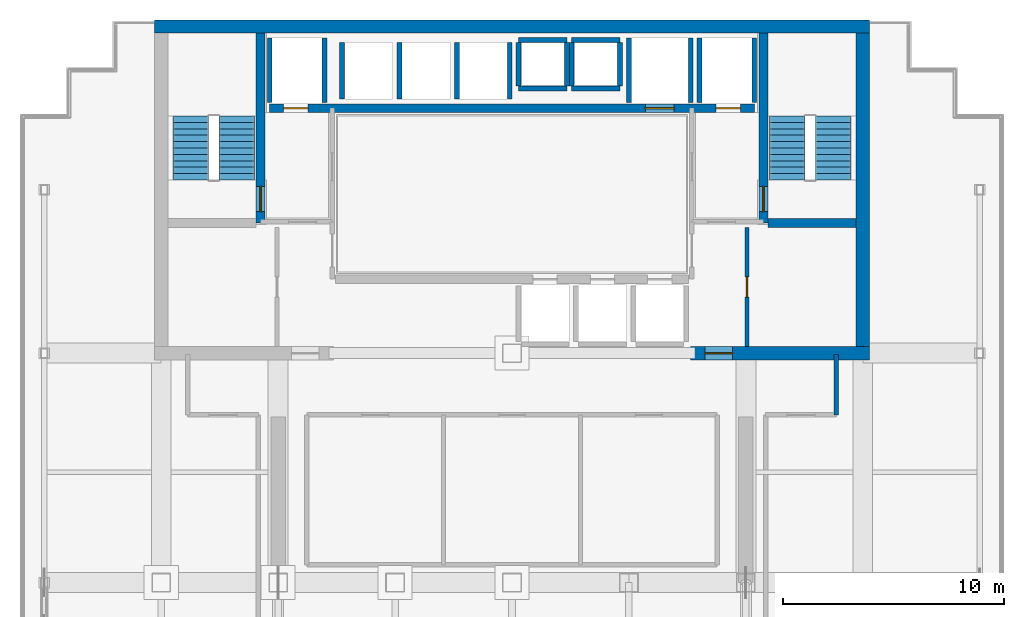
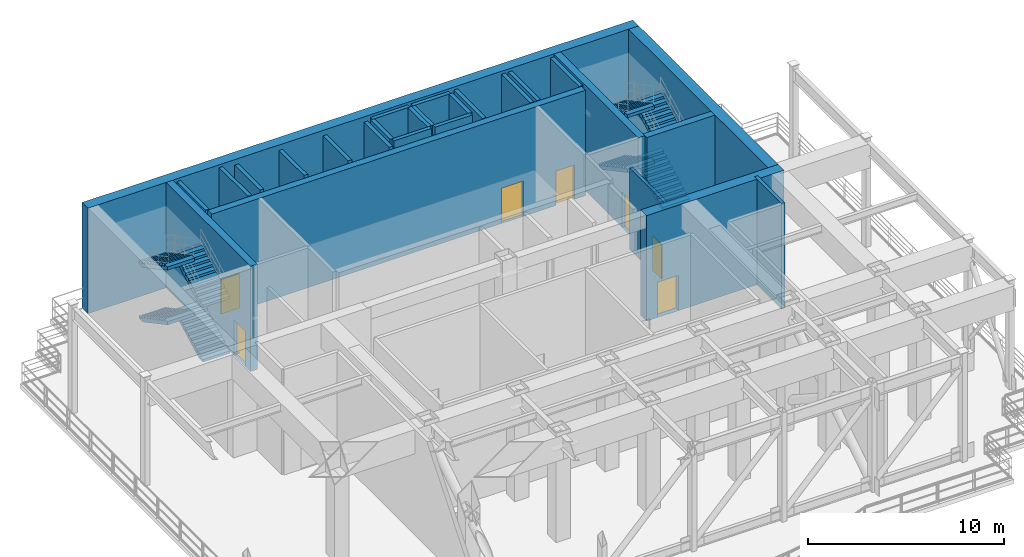
# One storey, part 4 of 7: 27 walls, 8 stair flights, 7 doors, 7 openings, 2 elements without a shape of their own.
"""IFC4 building model written with IfcOpenShell, lengths in metres."""

from ifc_helpers import new_model, si_unit, direction, frame, frame_2d, origin, place, context, subcontext, project, spatial, polyline, rectangle, outline, extrude, material, layer, layer_set, type_object, element, fill, aggregate, save


model = new_model("IFC4")

# Units and contexts
model_context = context("Model", 3, precision=1e-05, world=origin(), true_north=direction((0.0, 1.0)))
body_context = subcontext(model_context, "Body", "Model", "MODEL_VIEW")
ifc_project = project(units=[si_unit("LENGTHUNIT", "METRE"), si_unit("AREAUNIT", "SQUARE_METRE"), si_unit("VOLUMEUNIT", "CUBIC_METRE"), si_unit("PLANEANGLEUNIT", "RADIAN"), si_unit("MASSUNIT", "GRAM", prefix="KILO")], contexts=[model_context])

# Site, building, storey
site_placement = place(None, origin())
site = spatial("IfcSite", under=ifc_project, at=site_placement, CompositionType="ELEMENT")
building_placement = place(site_placement, origin())
building = spatial("IfcBuilding", under=site, at=building_placement, Name="Qianlan Lanfeng Residences", CompositionType="ELEMENT")
storey_placement = place(building_placement, frame((0.0, 0.0, 185.39990234375)))
storey = spatial("IfcBuildingStorey", under=building, at=storey_placement, Name="L51", CompositionType="ELEMENT", Elevation=185.39990234375)

# Wall, opening, door
ifc_material_1 = material(Name="Concrete C56", Category="concrete")
ifc_layer_1 = layer(ifc_material_1, 0.39990234375)
ifc_layer_set_1 = layer_set([ifc_layer_1], Name="Concrete C56")
wall_type_1 = type_object("IfcWallType", Name="CW-RC-400", PredefinedType="SHEAR", material=ifc_layer_set_1)
wall_1_placement = place(storey_placement, frame((15.10009765625, 31.10009765625, 0.0), z_axis=(0.0, 0.0, 1.0), x_axis=(0.0, 1.0, 0.0)))
wall_1 = element("IfcWall", 1, at=wall_1_placement, inside=storey, type_object=wall_type_1, Name="L51 Core Shear Wall ST1E", PredefinedType="SHEAR", context=body_context, shape_type="SweptSolid", body=[
    extrude(rectangle(XDim=8.599853515625, YDim=0.39990234375, at=frame_2d((4.2998046875, 0.0))), origin(), (0.0, 0.0, 1.0), 6.56005859375),
])
opening_1_placement = place(wall_1_placement, frame((0.510009765625, 0.0, 0.0)))
opening_1 = element("IfcOpeningElement", 2, at=opening_1_placement, cuts=wall_1, Name="Opening L51-D07", PredefinedType="OPENING", context=body_context, shape_type="SweptSolid", body=[
    extrude(rectangle(XDim=1.14990234375, YDim=2.199951171875, at=frame_2d((0.574951171875, 1.10009765625))), frame((0.0, 0.2099609375, 0.0), z_axis=(0.0, -1.0, 0.0), x_axis=(1.0, 0.0, 0.0)), (0.0, 0.0, 1.0), 0.419921875),
])
ifc_material_2 = material(Name="Painted Galvanised Steel Fire Door", Category="steel")
door_type_1 = type_object("IfcDoorType", Name="DT-ST1", OperationType="NOTDEFINED", PredefinedType="DOOR", material=ifc_material_2)
door_1_placement = place(opening_1_placement, frame((1.14990234375, 0.0, 0.0), z_axis=(0.0, 0.0, 1.0), x_axis=(-1.0, 0.0, 0.0)))
door_1 = element("IfcDoor", 3, at=door_1_placement, inside=storey, type_object=door_type_1, Name="L51 Exit Stair ST-1 Door L51-D07 (DT-ST1)", OperationType="SINGLE_SWING_RIGHT", OverallHeight=2.199951171875, OverallWidth=1.14990234375, PredefinedType="DOOR", context=body_context, shape_type="SweptSolid", body=[
    extrude(rectangle(XDim=1.14990234375, YDim=2.199951171875, at=frame_2d((0.574951171875, 1.10009765625))), frame((0.0, 0.02490234375, 0.0), z_axis=(0.0, -1.0, 0.0), x_axis=(1.0, 0.0, 0.0)), (0.0, 0.0, 1.0), 0.050048828125),
])
fill(opening_1, door_1)

wall_2_placement = place(storey_placement, frame((37.89990234375, 31.10009765625, 0.0), z_axis=(0.0, 0.0, 1.0), x_axis=(0.0, 1.0, 0.0)))
wall_2 = element("IfcWall", 4, at=wall_2_placement, inside=storey, type_object=wall_type_1, Name="L51 Core Shear Wall ST2W", PredefinedType="SHEAR", context=body_context, shape_type="SweptSolid", body=[
    extrude(rectangle(XDim=8.599853515625, YDim=0.39990234375, at=frame_2d((4.2998046875, 0.0))), origin(), (0.0, 0.0, 1.0), 6.56005859375),
])
opening_2_placement = place(wall_2_placement, frame((0.510009765625, 0.0, 0.0)))
opening_2 = element("IfcOpeningElement", 5, at=opening_2_placement, cuts=wall_2, Name="Opening L51-D08", PredefinedType="OPENING", context=body_context, shape_type="SweptSolid", body=[
    extrude(rectangle(XDim=1.14990234375, YDim=2.199951171875, at=frame_2d((0.574951171875, 1.10009765625))), frame((0.0, 0.2099609375, 0.0), z_axis=(0.0, -1.0, 0.0), x_axis=(1.0, 0.0, 0.0)), (0.0, 0.0, 1.0), 0.419921875),
])
door_2_placement = place(opening_2_placement, origin())
door_2 = element("IfcDoor", 6, at=door_2_placement, inside=storey, type_object=door_type_1, Name="L51 Exit Stair ST-2 Door L51-D08 (DT-ST1)", OperationType="SINGLE_SWING_RIGHT", OverallHeight=2.199951171875, OverallWidth=1.14990234375, PredefinedType="DOOR", context=body_context, shape_type="SweptSolid", body=[
    extrude(rectangle(XDim=1.14990234375, YDim=2.199951171875, at=frame_2d((0.574951171875, 1.10009765625))), frame((0.0, 0.02490234375, 0.0), z_axis=(0.0, -1.0, 0.0), x_axis=(1.0, 0.0, 0.0)), (0.0, 0.0, 1.0), 0.050048828125),
])
fill(opening_2, door_2)

# Wall
wall_3_placement = place(storey_placement, frame((38.10009765625, 31.10009765625, 0.0), z_axis=(0.0, 0.0, 1.0), x_axis=(1.0, 0.0, 0.0)))
element("IfcWall", 7, at=wall_3_placement, inside=storey, type_object=wall_type_1, Name="L51 Core Shear Wall ST2S", PredefinedType="SHEAR", context=body_context, shape_type="SweptSolid", body=[
    extrude(rectangle(XDim=4.0, YDim=0.39990234375, at=frame_2d((2.0, 0.0))), origin(), (0.0, 0.0, 1.0), 6.56005859375),
])

# Wall, openings, doors
wall_4_placement = place(storey_placement, frame((15.5, 36.300048828125, 0.0), z_axis=(0.0, 0.0, 1.0), x_axis=(1.0, 0.0, 0.0)))
wall_4 = element("IfcWall", 8, at=wall_4_placement, inside=storey, type_object=wall_type_1, Name="L51 Core Shear Wall LBN", PredefinedType="SHEAR", context=body_context, shape_type="SweptSolid", body=[
    extrude(rectangle(XDim=22.0, YDim=0.39990234375, at=frame_2d((11.0, 0.0))), origin(), (0.0, 0.0, 1.0), 6.56005859375),
])
opening_3_placement = place(wall_4_placement, frame((0.64990234375, 0.0, 0.0)))
opening_3 = element("IfcOpeningElement", 9, at=opening_3_placement, cuts=wall_4, Name="Opening L51-LD-FFL-1", PredefinedType="OPENING", context=body_context, shape_type="SweptSolid", body=[
    extrude(rectangle(XDim=1.10009765625, YDim=2.14990234375, at=frame_2d((0.550048828125, 1.074951171875))), frame((0.0, 0.2099609375, 0.0), z_axis=(0.0, -1.0, 0.0), x_axis=(1.0, 0.0, 0.0)), (0.0, 0.0, 1.0), 0.419921875),
])
opening_4_placement = place(wall_4_placement, frame((20.25, 0.0, 0.0)))
opening_4 = element("IfcOpeningElement", 10, at=opening_4_placement, cuts=wall_4, Name="Opening L51-LD-FFL-2", PredefinedType="OPENING", context=body_context, shape_type="SweptSolid", body=[
    extrude(rectangle(XDim=1.10009765625, YDim=2.14990234375, at=frame_2d((0.550048828125, 1.074951171875))), frame((0.0, 0.2099609375, 0.0), z_axis=(0.0, -1.0, 0.0), x_axis=(1.0, 0.0, 0.0)), (0.0, 0.0, 1.0), 0.419921875),
])
opening_5_placement = place(wall_4_placement, frame((17.050048828125, 0.0, 0.0)))
opening_5 = element("IfcOpeningElement", 11, at=opening_5_placement, cuts=wall_4, Name="Opening L51-LD-SVL-1", PredefinedType="OPENING", context=body_context, shape_type="SweptSolid", body=[
    extrude(rectangle(XDim=1.300048828125, YDim=2.199951171875, at=frame_2d((0.64990234375, 1.10009765625))), frame((0.0, 0.2099609375, 0.0), z_axis=(0.0, -1.0, 0.0), x_axis=(1.0, 0.0, 0.0)), (0.0, 0.0, 1.0), 0.419921875),
])
ifc_material_3 = material(Name="Brushed Stainless Steel Sliding Lift Door", Category="steel")
door_type_2 = type_object("IfcDoorType", Name="LD-01", OperationType="NOTDEFINED", PredefinedType="DOOR", material=ifc_material_3)
door_3_placement = place(opening_3_placement, frame((1.10009765625, 0.0, 0.0), z_axis=(0.0, 0.0, 1.0), x_axis=(-1.0, 0.0, 0.0)))
door_3 = element("IfcDoor", 12, at=door_3_placement, inside=storey, type_object=door_type_2, Name="L51 Elevator FFL-1 Sliding Landing Door", OperationType="DOUBLE_DOOR_SLIDING", OverallHeight=2.14990234375, OverallWidth=1.10009765625, PredefinedType="DOOR", context=body_context, shape_type="SweptSolid", body=[
    extrude(rectangle(XDim=1.10009765625, YDim=2.14990234375, at=frame_2d((0.550048828125, 1.074951171875))), frame((0.0, 0.02490234375, 0.0), z_axis=(0.0, -1.0, 0.0), x_axis=(1.0, 0.0, 0.0)), (0.0, 0.0, 1.0), 0.050048828125),
])
fill(opening_3, door_3)
door_4_placement = place(opening_4_placement, frame((1.10009765625, 0.0, 0.0), z_axis=(0.0, 0.0, 1.0), x_axis=(-1.0, 0.0, 0.0)))
door_4 = element("IfcDoor", 13, at=door_4_placement, inside=storey, type_object=door_type_2, Name="L51 Elevator FFL-2 Sliding Landing Door", OperationType="DOUBLE_DOOR_SLIDING", OverallHeight=2.14990234375, OverallWidth=1.10009765625, PredefinedType="DOOR", context=body_context, shape_type="SweptSolid", body=[
    extrude(rectangle(XDim=1.10009765625, YDim=2.14990234375, at=frame_2d((0.550048828125, 1.074951171875))), frame((0.0, 0.02490234375, 0.0), z_axis=(0.0, -1.0, 0.0), x_axis=(1.0, 0.0, 0.0)), (0.0, 0.0, 1.0), 0.050048828125),
])
fill(opening_4, door_4)
door_type_3 = type_object("IfcDoorType", Name="LD-02", OperationType="NOTDEFINED", PredefinedType="DOOR", material=ifc_material_3)
door_5_placement = place(opening_5_placement, frame((1.300048828125, 0.0, 0.0), z_axis=(0.0, 0.0, 1.0), x_axis=(-1.0, 0.0, 0.0)))
door_5 = element("IfcDoor", 14, at=door_5_placement, inside=storey, type_object=door_type_3, Name="L51 Elevator SVL-1 Sliding Landing Door", OperationType="DOUBLE_DOOR_SLIDING", OverallHeight=2.199951171875, OverallWidth=1.300048828125, PredefinedType="DOOR", context=body_context, shape_type="SweptSolid", body=[
    extrude(rectangle(XDim=1.300048828125, YDim=2.199951171875, at=frame_2d((0.64990234375, 1.10009765625))), frame((0.0, 0.02490234375, 0.0), z_axis=(0.0, -1.0, 0.0), x_axis=(1.0, 0.0, 0.0)), (0.0, 0.0, 1.0), 0.050048828125),
])
fill(opening_5, door_5)

# Walls
ifc_layer_2 = layer(ifc_material_1, 0.60009765625)
ifc_layer_set_2 = layer_set([ifc_layer_2], Name="Concrete C56")
wall_type_2 = type_object("IfcWallType", Name="CW-RC-600", PredefinedType="SHEAR", material=ifc_layer_set_2)
wall_5_placement = place(storey_placement, frame((10.300048828125, 40.0, 0.0), z_axis=(0.0, 0.0, 1.0), x_axis=(1.0, 0.0, 0.0)))
element("IfcWall", 15, at=wall_5_placement, inside=storey, type_object=wall_type_2, Name="L51 Core Shear Wall N", PredefinedType="SHEAR", context=body_context, shape_type="SweptSolid", body=[
    extrude(rectangle(XDim=32.39990234375, YDim=0.60009765625, at=frame_2d((16.199951171875, 0.0))), origin(), (0.0, 0.0, 1.0), 6.56005859375),
])
wall_6_placement = place(storey_placement, frame((42.39990234375, 25.5, 0.0), z_axis=(0.0, 0.0, 1.0), x_axis=(0.0, 1.0, 0.0)))
element("IfcWall", 16, at=wall_6_placement, inside=storey, type_object=wall_type_2, Name="L51 Core Shear Wall E", PredefinedType="SHEAR", context=body_context, shape_type="SweptSolid", body=[
    extrude(rectangle(XDim=14.199951171875, YDim=0.60009765625, at=frame_2d((7.10009765625, 0.0))), origin(), (0.0, 0.0, 1.0), 6.56005859375),
])

# Wall, opening, door
wall_7_placement = place(storey_placement, frame((34.60009765625, 25.199951171875, 0.0), z_axis=(0.0, 0.0, 1.0), x_axis=(1.0, 0.0, 0.0)))
wall_7 = element("IfcWall", 17, at=wall_7_placement, inside=storey, type_object=wall_type_2, Name="L51 Core Shear Wall SE", PredefinedType="SHEAR", context=body_context, shape_type="SweptSolid", body=[
    extrude(rectangle(XDim=8.099853515625, YDim=0.60009765625, at=frame_2d((4.0498046875, 0.0))), origin(), (0.0, 0.0, 1.0), 6.56005859375),
])
opening_6_placement = place(wall_7_placement, frame((0.64990234375, 0.0, 0.0)))
opening_6 = element("IfcOpeningElement", 18, at=opening_6_placement, cuts=wall_7, Name="Opening L51-D02", PredefinedType="OPENING", context=body_context, shape_type="SweptSolid", body=[
    extrude(rectangle(XDim=1.25, YDim=2.199951171875, at=frame_2d((0.625, 1.10009765625))), frame((0.0, 0.31005859375, 0.0), z_axis=(0.0, -1.0, 0.0), x_axis=(1.0, 0.0, 0.0)), (0.0, 0.0, 1.0), 0.6201171875),
])
door_type_4 = type_object("IfcDoorType", Name="DT-FFL", OperationType="NOTDEFINED", PredefinedType="DOOR", material=ifc_material_2)
door_6_placement = place(opening_6_placement, frame((1.25, 0.0, 0.0), z_axis=(0.0, 0.0, 1.0), x_axis=(-1.0, 0.0, 0.0)))
door_6 = element("IfcDoor", 19, at=door_6_placement, inside=storey, type_object=door_type_4, Name="L51 East Core Lobby Smoke Door L51-D02 (DT-FFL)", OperationType="SINGLE_SWING_LEFT", OverallHeight=2.199951171875, OverallWidth=1.25, PredefinedType="DOOR", context=body_context, shape_type="SweptSolid", body=[
    extrude(rectangle(XDim=1.25, YDim=2.199951171875, at=frame_2d((0.625, 1.10009765625))), frame((0.0, 0.02490234375, 0.0), z_axis=(0.0, -1.0, 0.0), x_axis=(1.0, 0.0, 0.0)), (0.0, 0.0, 1.0), 0.050048828125),
])
fill(opening_6, door_6)

ifc_material_4 = material(Name="Double-Layer Acoustic Gypsum Stud Wall 180 mm")
ifc_layer_3 = layer(ifc_material_4, 0.179931640625)
ifc_layer_set_3 = layer_set([ifc_layer_3], Name="Double-Layer Acoustic Gypsum Stud Wall 180 mm")
wall_type_3 = type_object("IfcWallType", Name="PW-180", PredefinedType="PARTITIONING", material=ifc_layer_set_3)
wall_8_placement = place(storey_placement, frame((37.14990234375, 25.5, 0.0), z_axis=(0.0, 0.0, 1.0), x_axis=(0.0, 1.0, 0.0)))
wall_8 = element("IfcWall", 20, at=wall_8_placement, inside=storey, type_object=wall_type_3, Name="L51 Core East Service Room Wall", PredefinedType="PARTITIONING", context=body_context, shape_type="SweptSolid", body=[
    extrude(rectangle(XDim=5.39990234375, YDim=0.179931640625, at=frame_2d((2.699951171875, 0.0))), origin(), (0.0, 0.0, 1.0), 5.05517578125),
])
opening_7_placement = place(wall_8_placement, frame((2.239990234375, 0.0, 0.0)))
opening_7 = element("IfcOpeningElement", 21, at=opening_7_placement, cuts=wall_8, Name="Opening L51-D10", PredefinedType="OPENING", context=body_context, shape_type="SweptSolid", body=[
    extrude(rectangle(XDim=0.919921875, YDim=2.14990234375, at=frame_2d((0.4599609375, 1.074951171875))), frame((0.0, 0.10009765625, 0.0), z_axis=(0.0, -1.0, 0.0), x_axis=(1.0, 0.0, 0.0)), (0.0, 0.0, 1.0), 0.199951171875),
])
ifc_material_5 = material(Name="Glazed Timber Kitchen/Study Door", Category="wood")
door_type_5 = type_object("IfcDoorType", Name="DT-INT", OperationType="NOTDEFINED", PredefinedType="DOOR", material=ifc_material_5)
door_7_placement = place(opening_7_placement, origin())
door_7 = element("IfcDoor", 22, at=door_7_placement, inside=storey, type_object=door_type_5, Name="L51 Refuse Recycling Door L51-D10 (DT-INT)", OperationType="SINGLE_SWING_LEFT", OverallHeight=2.14990234375, OverallWidth=0.919921875, PredefinedType="DOOR", context=body_context, shape_type="SweptSolid", body=[
    extrude(rectangle(XDim=0.919921875, YDim=2.14990234375, at=frame_2d((0.4599609375, 1.074951171875))), frame((0.0, 0.02490234375, 0.0), z_axis=(0.0, -1.0, 0.0), x_axis=(1.0, 0.0, 0.0)), (0.0, 0.0, 1.0), 0.050048828125),
])
fill(opening_7, door_7)

# Walls
ifc_material_6 = material(Name="Autoclaved Aerated Concrete Blockwork 200 mm", Category="masonry")
ifc_layer_4 = layer(ifc_material_6, 0.199951171875)
ifc_layer_set_4 = layer_set([ifc_layer_4], Name="Autoclaved Aerated Concrete Blockwork 200 mm")
wall_type_4 = type_object("IfcWallType", Name="PW-200", PredefinedType="PARTITIONING", material=ifc_layer_set_4)
wall_9_placement = place(storey_placement, frame((41.199951171875, 22.39990234375, 0.0), z_axis=(0.0, 0.0, 1.0), x_axis=(0.0, 1.0, 0.0)))
element("IfcWall", 23, at=wall_9_placement, inside=storey, type_object=wall_type_4, Name="L51 East Refuge End Wall", PredefinedType="PARTITIONING", context=body_context, shape_type="SweptSolid", body=[
    extrude(rectangle(XDim=2.75, YDim=0.199951171875, at=frame_2d((1.375, 0.0))), origin(), (0.0, 0.0, 1.0), 6.56005859375),
])
ifc_material_7 = material(Name="Concrete C49", Category="concrete")
ifc_layer_5 = layer(ifc_material_7, 0.219970703125)
ifc_layer_set_5 = layer_set([ifc_layer_5], Name="Concrete C49")
wall_type_5 = type_object("IfcWallType", Name="SHW-220", PredefinedType="SOLIDWALL", material=ifc_layer_set_5)
for number, where, z_axis, x_axis, name in (
    (24, (15.52001953125, 36.550048828125, 0.0), (0.0, 0.0, 1.0), (0.0, 1.0, 0.0), "L51 Lift FFL-1 Shaft Wall W"),
    (25, (18.0, 36.550048828125, 0.0), (0.0, 0.0, 1.0), (0.0, 1.0, 0.0), "L51 Lift FFL-1 Shaft Wall E"),
    (26, (35.0, 36.550048828125, 0.0), (0.0, 0.0, 1.0), (0.0, 1.0, 0.0), "L51 Lift FFL-2 Shaft Wall W"),
    (27, (37.47998046875, 36.550048828125, 0.0), (0.0, 0.0, 1.0), (0.0, 1.0, 0.0), "L51 Lift FFL-2 Shaft Wall E"),
    (28, (31.800048828125, 36.550048828125, 0.0), (0.0, 0.0, 1.0), (0.0, 1.0, 0.0), "L51 Lift SVL-1 Shaft Wall W"),
    (29, (34.60009765625, 36.550048828125, 0.0), (0.0, 0.0, 1.0), (0.0, 1.0, 0.0), "L51 Lift SVL-1 Shaft Wall E"),
):
    element("IfcWall", number, at=place(storey_placement, frame(where, z_axis=z_axis, x_axis=x_axis)), inside=storey, type_object=wall_type_5, Name=name, PredefinedType="SOLIDWALL", context=body_context, shape_type="SweptSolid", body=[
        extrude(rectangle(XDim=2.929931640625, YDim=0.219970703125, at=frame_2d((1.46484375, 0.0))), origin(), (0.0, 0.0, 1.0), 6.56005859375),
    ])
for number, where, z_axis, x_axis, name in (
    (30, (18.800048828125, 36.719970703125, 0.0), (0.0, 0.0, 1.0), (0.0, 1.0, 0.0), "L51 Lift PL-H1 Shaft Wall W"),
    (31, (21.39990234375, 36.719970703125, 0.0), (0.0, 0.0, 1.0), (0.0, 1.0, 0.0), "L51 Lift PL-H2 Shaft Wall W"),
    (32, (24.0, 36.719970703125, 0.0), (0.0, 0.0, 1.0), (0.0, 1.0, 0.0), "L51 Lift PL-H3 Shaft Wall W"),
    (33, (26.39990234375, 36.719970703125, 0.0), (0.0, 0.0, 1.0), (0.0, 1.0, 0.0), "L51 Lift PL-H3 Shaft Wall E"),
):
    element("IfcWall", number, at=place(storey_placement, frame(where, z_axis=z_axis, x_axis=x_axis)), inside=storey, type_object=wall_type_5, Name=name, PredefinedType="SOLIDWALL", context=body_context, shape_type="SweptSolid", body=[
        extrude(rectangle(XDim=2.56005859375, YDim=0.219970703125, at=frame_2d((1.280029296875, 0.0))), origin(), (0.0, 0.0, 1.0), 6.56005859375),
    ])
for number, where, z_axis, x_axis, name in (
    (34, (26.800048828125, 37.31005859375, 0.0), (0.0, 0.0, 1.0), (0.0, 1.0, 0.0), "L51 MEP Riser MEP-R1 Shaft Wall W"),
    (35, (29.0, 37.31005859375, 0.0), (0.0, 0.0, 1.0), (0.0, 1.0, 0.0), "L51 MEP Riser MEP-R1 Shaft Wall E"),
):
    element("IfcWall", number, at=place(storey_placement, frame(where, z_axis=z_axis, x_axis=x_axis)), inside=storey, type_object=wall_type_5, Name=name, PredefinedType="SOLIDWALL", context=body_context, shape_type="SweptSolid", body=[
        extrude(rectangle(XDim=1.97998046875, YDim=0.219970703125, at=frame_2d((0.989990234375, 0.0))), origin(), (0.0, 0.0, 1.0), 6.56005859375),
    ])
for number, where, z_axis, x_axis, name in (
    (36, (26.800048828125, 39.39990234375, 0.0), (0.0, 0.0, 1.0), (1.0, 0.0, 0.0), "L51 MEP Riser MEP-R1 Shaft Wall N"),
    (37, (26.800048828125, 37.199951171875, 0.0), (0.0, 0.0, 1.0), (1.0, 0.0, 0.0), "L51 MEP Riser MEP-R1 Shaft Wall S"),
):
    element("IfcWall", number, at=place(storey_placement, frame(where, z_axis=z_axis, x_axis=x_axis)), inside=storey, type_object=wall_type_5, Name=name, PredefinedType="SOLIDWALL", context=body_context, shape_type="SweptSolid", body=[
        extrude(rectangle(XDim=2.199951171875, YDim=0.219970703125, at=frame_2d((1.10009765625, 0.0))), origin(), (0.0, 0.0, 1.0), 6.56005859375),
    ])
for number, where, z_axis, x_axis, name in (
    (38, (29.199951171875, 37.31005859375, 0.0), (0.0, 0.0, 1.0), (0.0, 1.0, 0.0), "L51 MEP Riser MEP-R2 Shaft Wall W"),
    (39, (31.39990234375, 37.31005859375, 0.0), (0.0, 0.0, 1.0), (0.0, 1.0, 0.0), "L51 MEP Riser MEP-R2 Shaft Wall E"),
):
    element("IfcWall", number, at=place(storey_placement, frame(where, z_axis=z_axis, x_axis=x_axis)), inside=storey, type_object=wall_type_5, Name=name, PredefinedType="SOLIDWALL", context=body_context, shape_type="SweptSolid", body=[
        extrude(rectangle(XDim=1.97998046875, YDim=0.219970703125, at=frame_2d((0.989990234375, 0.0))), origin(), (0.0, 0.0, 1.0), 6.56005859375),
    ])
for number, where, z_axis, x_axis, name in (
    (40, (29.199951171875, 39.39990234375, 0.0), (0.0, 0.0, 1.0), (1.0, 0.0, 0.0), "L51 MEP Riser MEP-R2 Shaft Wall N"),
    (41, (29.199951171875, 37.199951171875, 0.0), (0.0, 0.0, 1.0), (1.0, 0.0, 0.0), "L51 MEP Riser MEP-R2 Shaft Wall S"),
):
    element("IfcWall", number, at=place(storey_placement, frame(where, z_axis=z_axis, x_axis=x_axis)), inside=storey, type_object=wall_type_5, Name=name, PredefinedType="SOLIDWALL", context=body_context, shape_type="SweptSolid", body=[
        extrude(rectangle(XDim=2.199951171875, YDim=0.219970703125, at=frame_2d((1.10009765625, 0.0))), origin(), (0.0, 0.0, 1.0), 6.56005859375),
    ])

# Stair, stair flights
ifc_material_8 = material(Name="Concrete C42", Category="concrete")
stair_type = type_object("IfcStairType", Name="STR-MAIN", PredefinedType="HALF_TURN_STAIR", material=ifc_material_8)
stair_1_placement = place(storey_placement, origin())
stair_1 = element("IfcStair", 42, at=stair_1_placement, inside=storey, type_object=stair_type, Name="L51 Exit Stair ST-1", PredefinedType="HALF_TURN_STAIR")
stair_flight_type = type_object("IfcStairFlightType", Name="FLT-1720", PredefinedType="STRAIGHT", material=ifc_material_8)
stair_flight_1_placement = place(storey_placement, frame((14.02001953125, 33.050048828125, 0.0), z_axis=(0.0, 0.0, 1.0), x_axis=(0.0, 1.0, 0.0)))
stair_flight_1 = element("IfcStairFlight", 43, at=stair_flight_1_placement, type_object=stair_flight_type, Name="ST-1 flight 1", NumberOfRisers=11, NumberOfTreads=10, PredefinedType="STRAIGHT", RiserHeight=0.154545455, TreadLength=0.29, context=body_context, shape_type="SweptSolid", body=[
    extrude(outline(polyline([(0.0, 0.0), (0.0, 0.154541015625), (0.2900390625, 0.154541015625), (0.2900390625, 0.30908203125), (0.580078125, 0.30908203125), (0.580078125, 0.463623046875), (0.8701171875, 0.463623046875), (0.8701171875, 0.6181640625), (1.159912109375, 0.6181640625), (1.159912109375, 0.772705078125), (1.449951171875, 0.772705078125), (1.449951171875, 0.92724609375), (1.739990234375, 0.92724609375), (1.739990234375, 1.081787109375), (2.030029296875, 1.081787109375), (2.030029296875, 1.236328125), (2.320068359375, 1.236328125), (2.320068359375, 1.390869140625), (2.610107421875, 1.390869140625), (2.610107421875, 1.54541015625), (2.89990234375, 1.54541015625), (2.89990234375, 1.699951171875), (2.89990234375, 1.341552734375), (0.382568359375, 0.0), (0.0, 0.0)])), frame((0.0, 0.800048828125, 0.0), z_axis=(0.0, -1.0, 0.0), x_axis=(1.0, 0.0, 0.0)), (0.0, 0.0, 1.0), 1.60009765625),
])
stair_flight_2_placement = place(storey_placement, frame((11.93994140625, 35.949951171875, 1.7001953125), z_axis=(0.0, 0.0, 1.0), x_axis=(0.0, -1.0, 0.0)))
stair_flight_2 = element("IfcStairFlight", 44, at=stair_flight_2_placement, type_object=stair_flight_type, Name="ST-1 flight 2", NumberOfRisers=11, NumberOfTreads=10, PredefinedType="STRAIGHT", RiserHeight=0.154545455, TreadLength=0.29, context=body_context, shape_type="SweptSolid", body=[
    extrude(outline(polyline([(0.0, 0.0), (0.0, 0.154541015625), (0.2900390625, 0.154541015625), (0.2900390625, 0.30908203125), (0.580078125, 0.30908203125), (0.580078125, 0.463623046875), (0.8701171875, 0.463623046875), (0.8701171875, 0.6181640625), (1.159912109375, 0.6181640625), (1.159912109375, 0.772705078125), (1.449951171875, 0.772705078125), (1.449951171875, 0.92724609375), (1.739990234375, 0.92724609375), (1.739990234375, 1.081787109375), (2.030029296875, 1.081787109375), (2.030029296875, 1.236328125), (2.320068359375, 1.236328125), (2.320068359375, 1.390869140625), (2.610107421875, 1.390869140625), (2.610107421875, 1.54541015625), (2.89990234375, 1.54541015625), (2.89990234375, 1.699951171875), (2.89990234375, 1.341552734375), (0.382568359375, 0.0), (0.0, 0.0)])), frame((0.0, 0.800048828125, 0.0), z_axis=(0.0, -1.0, 0.0), x_axis=(1.0, 0.0, 0.0)), (0.0, 0.0, 1.0), 1.60009765625),
])
stair_flight_3_placement = place(storey_placement, frame((14.02001953125, 33.050048828125, 3.400146484375), z_axis=(0.0, 0.0, 1.0), x_axis=(0.0, 1.0, 0.0)))
stair_flight_3 = element("IfcStairFlight", 45, at=stair_flight_3_placement, type_object=stair_flight_type, Name="ST-1 flight 3", NumberOfRisers=11, NumberOfTreads=10, PredefinedType="STRAIGHT", RiserHeight=0.154545455, TreadLength=0.29, context=body_context, shape_type="SweptSolid", body=[
    extrude(outline(polyline([(0.0, 0.0), (0.0, 0.154541015625), (0.2900390625, 0.154541015625), (0.2900390625, 0.30908203125), (0.580078125, 0.30908203125), (0.580078125, 0.463623046875), (0.8701171875, 0.463623046875), (0.8701171875, 0.6181640625), (1.159912109375, 0.6181640625), (1.159912109375, 0.772705078125), (1.449951171875, 0.772705078125), (1.449951171875, 0.92724609375), (1.739990234375, 0.92724609375), (1.739990234375, 1.081787109375), (2.030029296875, 1.081787109375), (2.030029296875, 1.236328125), (2.320068359375, 1.236328125), (2.320068359375, 1.390869140625), (2.610107421875, 1.390869140625), (2.610107421875, 1.54541015625), (2.89990234375, 1.54541015625), (2.89990234375, 1.699951171875), (2.89990234375, 1.341552734375), (0.382568359375, 0.0), (0.0, 0.0)])), frame((0.0, 0.800048828125, 0.0), z_axis=(0.0, -1.0, 0.0), x_axis=(1.0, 0.0, 0.0)), (0.0, 0.0, 1.0), 1.60009765625),
])
stair_flight_4_placement = place(storey_placement, frame((11.93994140625, 35.949951171875, 5.10009765625), z_axis=(0.0, 0.0, 1.0), x_axis=(0.0, -1.0, 0.0)))
stair_flight_4 = element("IfcStairFlight", 46, at=stair_flight_4_placement, type_object=stair_flight_type, Name="ST-1 flight 4", NumberOfRisers=11, NumberOfTreads=10, PredefinedType="STRAIGHT", RiserHeight=0.154545455, TreadLength=0.29, context=body_context, shape_type="SweptSolid", body=[
    extrude(outline(polyline([(0.0, 0.0), (0.0, 0.154541015625), (0.2900390625, 0.154541015625), (0.2900390625, 0.30908203125), (0.580078125, 0.30908203125), (0.580078125, 0.463623046875), (0.8701171875, 0.463623046875), (0.8701171875, 0.6181640625), (1.159912109375, 0.6181640625), (1.159912109375, 0.772705078125), (1.449951171875, 0.772705078125), (1.449951171875, 0.92724609375), (1.739990234375, 0.92724609375), (1.739990234375, 1.081787109375), (2.030029296875, 1.081787109375), (2.030029296875, 1.236328125), (2.320068359375, 1.236328125), (2.320068359375, 1.390869140625), (2.610107421875, 1.390869140625), (2.610107421875, 1.54541015625), (2.89990234375, 1.54541015625), (2.89990234375, 1.699951171875), (2.89990234375, 1.341552734375), (0.382568359375, 0.0), (0.0, 0.0)])), frame((0.0, 0.800048828125, 0.0), z_axis=(0.0, -1.0, 0.0), x_axis=(1.0, 0.0, 0.0)), (0.0, 0.0, 1.0), 1.60009765625),
])
aggregate(stair_1, [stair_flight_1, stair_flight_2, stair_flight_3, stair_flight_4])

stair_2_placement = place(storey_placement, origin())
stair_2 = element("IfcStair", 47, at=stair_2_placement, inside=storey, type_object=stair_type, Name="L51 Exit Stair ST-2", PredefinedType="HALF_TURN_STAIR")
stair_flight_5_placement = place(storey_placement, frame((41.06005859375, 33.050048828125, 0.0), z_axis=(0.0, 0.0, 1.0), x_axis=(0.0, 1.0, 0.0)))
stair_flight_5 = element("IfcStairFlight", 48, at=stair_flight_5_placement, type_object=stair_flight_type, Name="ST-2 flight 1", NumberOfRisers=11, NumberOfTreads=10, PredefinedType="STRAIGHT", RiserHeight=0.154545455, TreadLength=0.29, context=body_context, shape_type="SweptSolid", body=[
    extrude(outline(polyline([(0.0, 0.0), (0.0, 0.154541015625), (0.2900390625, 0.154541015625), (0.2900390625, 0.30908203125), (0.580078125, 0.30908203125), (0.580078125, 0.463623046875), (0.8701171875, 0.463623046875), (0.8701171875, 0.6181640625), (1.159912109375, 0.6181640625), (1.159912109375, 0.772705078125), (1.449951171875, 0.772705078125), (1.449951171875, 0.92724609375), (1.739990234375, 0.92724609375), (1.739990234375, 1.081787109375), (2.030029296875, 1.081787109375), (2.030029296875, 1.236328125), (2.320068359375, 1.236328125), (2.320068359375, 1.390869140625), (2.610107421875, 1.390869140625), (2.610107421875, 1.54541015625), (2.89990234375, 1.54541015625), (2.89990234375, 1.699951171875), (2.89990234375, 1.341552734375), (0.382568359375, 0.0), (0.0, 0.0)])), frame((0.0, 0.800048828125, 0.0), z_axis=(0.0, -1.0, 0.0), x_axis=(1.0, 0.0, 0.0)), (0.0, 0.0, 1.0), 1.60009765625),
])
stair_flight_6_placement = place(storey_placement, frame((38.97998046875, 35.949951171875, 1.7001953125), z_axis=(0.0, 0.0, 1.0), x_axis=(0.0, -1.0, 0.0)))
stair_flight_6 = element("IfcStairFlight", 49, at=stair_flight_6_placement, type_object=stair_flight_type, Name="ST-2 flight 2", NumberOfRisers=11, NumberOfTreads=10, PredefinedType="STRAIGHT", RiserHeight=0.154545455, TreadLength=0.29, context=body_context, shape_type="SweptSolid", body=[
    extrude(outline(polyline([(0.0, 0.0), (0.0, 0.154541015625), (0.2900390625, 0.154541015625), (0.2900390625, 0.30908203125), (0.580078125, 0.30908203125), (0.580078125, 0.463623046875), (0.8701171875, 0.463623046875), (0.8701171875, 0.6181640625), (1.159912109375, 0.6181640625), (1.159912109375, 0.772705078125), (1.449951171875, 0.772705078125), (1.449951171875, 0.92724609375), (1.739990234375, 0.92724609375), (1.739990234375, 1.081787109375), (2.030029296875, 1.081787109375), (2.030029296875, 1.236328125), (2.320068359375, 1.236328125), (2.320068359375, 1.390869140625), (2.610107421875, 1.390869140625), (2.610107421875, 1.54541015625), (2.89990234375, 1.54541015625), (2.89990234375, 1.699951171875), (2.89990234375, 1.341552734375), (0.382568359375, 0.0), (0.0, 0.0)])), frame((0.0, 0.800048828125, 0.0), z_axis=(0.0, -1.0, 0.0), x_axis=(1.0, 0.0, 0.0)), (0.0, 0.0, 1.0), 1.60009765625),
])
stair_flight_7_placement = place(storey_placement, frame((41.06005859375, 33.050048828125, 3.400146484375), z_axis=(0.0, 0.0, 1.0), x_axis=(0.0, 1.0, 0.0)))
stair_flight_7 = element("IfcStairFlight", 50, at=stair_flight_7_placement, type_object=stair_flight_type, Name="ST-2 flight 3", NumberOfRisers=11, NumberOfTreads=10, PredefinedType="STRAIGHT", RiserHeight=0.154545455, TreadLength=0.29, context=body_context, shape_type="SweptSolid", body=[
    extrude(outline(polyline([(0.0, 0.0), (0.0, 0.154541015625), (0.2900390625, 0.154541015625), (0.2900390625, 0.30908203125), (0.580078125, 0.30908203125), (0.580078125, 0.463623046875), (0.8701171875, 0.463623046875), (0.8701171875, 0.6181640625), (1.159912109375, 0.6181640625), (1.159912109375, 0.772705078125), (1.449951171875, 0.772705078125), (1.449951171875, 0.92724609375), (1.739990234375, 0.92724609375), (1.739990234375, 1.081787109375), (2.030029296875, 1.081787109375), (2.030029296875, 1.236328125), (2.320068359375, 1.236328125), (2.320068359375, 1.390869140625), (2.610107421875, 1.390869140625), (2.610107421875, 1.54541015625), (2.89990234375, 1.54541015625), (2.89990234375, 1.699951171875), (2.89990234375, 1.341552734375), (0.382568359375, 0.0), (0.0, 0.0)])), frame((0.0, 0.800048828125, 0.0), z_axis=(0.0, -1.0, 0.0), x_axis=(1.0, 0.0, 0.0)), (0.0, 0.0, 1.0), 1.60009765625),
])
stair_flight_8_placement = place(storey_placement, frame((38.97998046875, 35.949951171875, 5.10009765625), z_axis=(0.0, 0.0, 1.0), x_axis=(0.0, -1.0, 0.0)))
stair_flight_8 = element("IfcStairFlight", 51, at=stair_flight_8_placement, type_object=stair_flight_type, Name="ST-2 flight 4", NumberOfRisers=11, NumberOfTreads=10, PredefinedType="STRAIGHT", RiserHeight=0.154545455, TreadLength=0.29, context=body_context, shape_type="SweptSolid", body=[
    extrude(outline(polyline([(0.0, 0.0), (0.0, 0.154541015625), (0.2900390625, 0.154541015625), (0.2900390625, 0.30908203125), (0.580078125, 0.30908203125), (0.580078125, 0.463623046875), (0.8701171875, 0.463623046875), (0.8701171875, 0.6181640625), (1.159912109375, 0.6181640625), (1.159912109375, 0.772705078125), (1.449951171875, 0.772705078125), (1.449951171875, 0.92724609375), (1.739990234375, 0.92724609375), (1.739990234375, 1.081787109375), (2.030029296875, 1.081787109375), (2.030029296875, 1.236328125), (2.320068359375, 1.236328125), (2.320068359375, 1.390869140625), (2.610107421875, 1.390869140625), (2.610107421875, 1.54541015625), (2.89990234375, 1.54541015625), (2.89990234375, 1.699951171875), (2.89990234375, 1.341552734375), (0.382568359375, 0.0), (0.0, 0.0)])), frame((0.0, 0.800048828125, 0.0), z_axis=(0.0, -1.0, 0.0), x_axis=(1.0, 0.0, 0.0)), (0.0, 0.0, 1.0), 1.60009765625),
])
aggregate(stair_2, [stair_flight_5, stair_flight_6, stair_flight_7, stair_flight_8])

save(model, "model.ifc")
